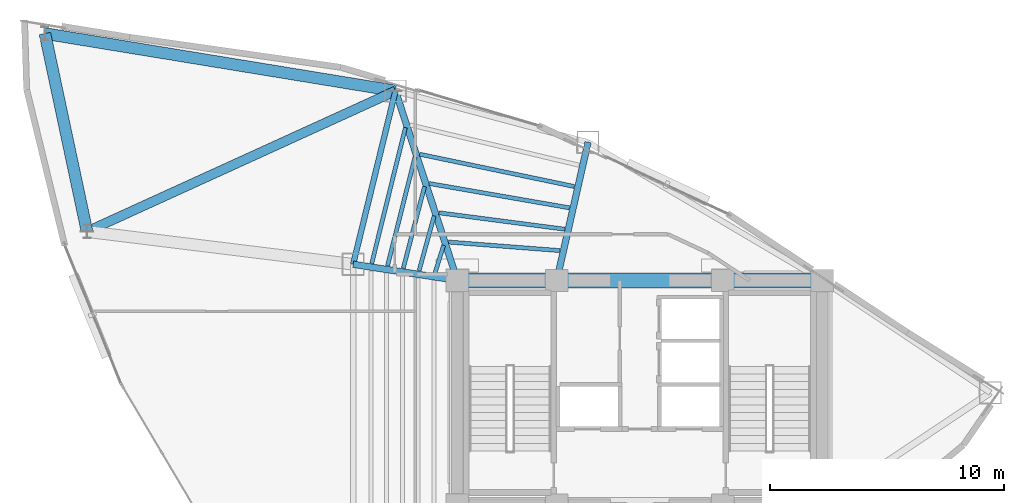
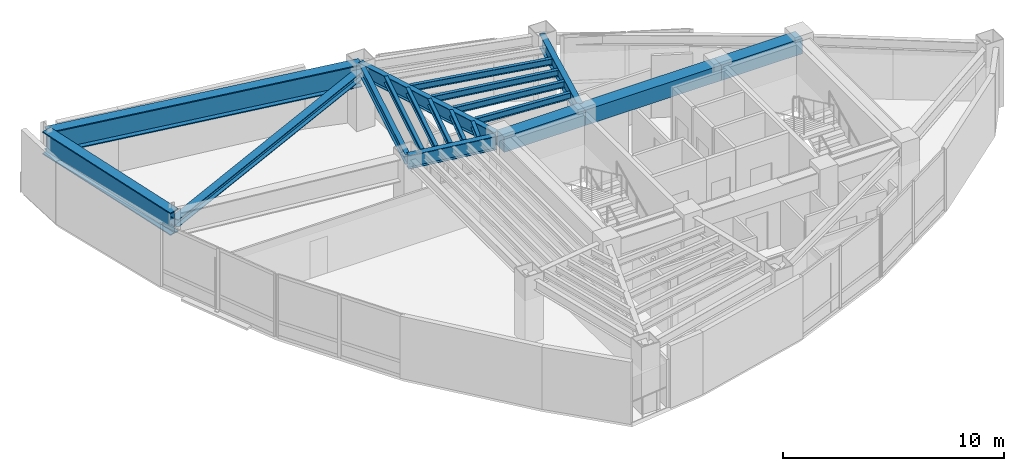
# One storey, part 7 of 16: 18 beams, 1 member.
"""IFC4 building model written with IfcOpenShell, lengths in metres."""

from ifc_helpers import new_model, si_unit, direction, frame, origin, origin_2d, place, context, subcontext, project, spatial, rectangle, i_section, extrude, material, material_profile, profile_set, type_object, element, save


model = new_model("IFC4")

# Units and contexts
model_context = context("Model", 3, precision=1e-05, world=origin(), true_north=direction((0.0, 1.0)))
body_context = subcontext(model_context, "Body", "Model", "MODEL_VIEW")
ifc_project = project(units=[si_unit("LENGTHUNIT", "METRE"), si_unit("AREAUNIT", "SQUARE_METRE"), si_unit("VOLUMEUNIT", "CUBIC_METRE"), si_unit("PLANEANGLEUNIT", "RADIAN"), si_unit("MASSUNIT", "GRAM", prefix="KILO")], contexts=[model_context])

# Site, building, storey
site_placement = place(None, origin())
site = spatial("IfcSite", under=ifc_project, at=site_placement, CompositionType="ELEMENT")
building_placement = place(site_placement, origin())
building = spatial("IfcBuilding", under=site, at=building_placement, Name="Menara Vayukalpa", CompositionType="ELEMENT")
storey_placement = place(building_placement, frame((0.0, 0.0, 202.679931640625)))
storey = spatial("IfcBuildingStorey", under=building, at=storey_placement, Name="L51", CompositionType="ELEMENT", Elevation=202.679931640625)

# Beams
ifc_material_1 = material(Name="Concrete C60/75", Category="concrete")
ifc_material_profile_1 = material_profile(ifc_material_1, rectangle(XDim=0.64990234375, YDim=0.85009765625, at=origin_2d()), Name="RC 650x850")
ifc_profile_set_1 = profile_set([ifc_material_profile_1], Name="Concrete C60/75")
beam_type_1 = type_object("IfcBeamType", Name="BM-CB1", PredefinedType="BEAM", material=ifc_profile_set_1)
beam_1_placement = place(storey_placement, frame((17.800048828125, 26.800048828125, 3.01513671875), z_axis=(1.0, 0.0, 0.0), x_axis=(0.0, 1.0, 0.0)))
element("IfcBeam", 1, at=beam_1_placement, inside=storey, type_object=beam_type_1, Name="L51 Core Tie Beam CBR4", PredefinedType="BEAM", context=body_context, shape_type="SweptSolid", body=[
    extrude(rectangle(XDim=0.64990234375, YDim=0.85009765625, at=origin_2d()), origin(), (0.0, 0.0, 1.0), 4.25),
])
beam_2_placement = place(storey_placement, frame((22.050048828125, 26.800048828125, 3.01513671875), z_axis=(1.0, 0.0, 0.0), x_axis=(0.0, 1.0, 0.0)))
element("IfcBeam", 2, at=beam_2_placement, inside=storey, type_object=beam_type_1, Name="L51 Core Tie Beam CBR5", PredefinedType="BEAM", context=body_context, shape_type="SweptSolid", body=[
    extrude(rectangle(XDim=0.64990234375, YDim=0.85009765625, at=origin_2d()), origin(), (0.0, 0.0, 1.0), 7.099853515625),
])
beam_3_placement = place(storey_placement, frame((29.14990234375, 26.800048828125, 3.01513671875), z_axis=(1.0, 0.0, 0.0), x_axis=(0.0, 1.0, 0.0)))
element("IfcBeam", 3, at=beam_3_placement, inside=storey, type_object=beam_type_1, Name="L51 Core Tie Beam CBR6", PredefinedType="BEAM", context=body_context, shape_type="SweptSolid", body=[
    extrude(rectangle(XDim=0.64990234375, YDim=0.85009765625, at=origin_2d()), origin(), (0.0, 0.0, 1.0), 4.25),
])
ifc_material_2 = material(Name="Steel S355", Category="steel")
ifc_material_profile_2 = material_profile(ifc_material_2, i_section(OverallWidth=0.280029296875, OverallDepth=0.75, WebThickness=0.013916015625, FlangeThickness=0.02490234375, at=origin_2d()), Name="WF 750x280x14x25")
ifc_profile_set_2 = profile_set([ifc_material_profile_2], Name="Steel S355")
beam_type_2 = type_object("IfcBeamType", Name="BM-PG4", PredefinedType="BEAM", material=ifc_profile_set_2)
beam_4_placement = place(storey_placement, frame((22.105224609375, 27.043701171875, 3.065185546875), z_axis=(0.221085149161, 0.975254508741, 0.0), x_axis=(-0.975254508741, 0.221085149161, 0.0)))
element("IfcBeam", 4, at=beam_4_placement, inside=storey, type_object=beam_type_2, Name="L51 Primary Radial Girder RG03", PredefinedType="BEAM", context=body_context, shape_type="SweptSolid", body=[
    extrude(i_section(OverallWidth=0.280029296875, OverallDepth=0.75, WebThickness=0.013916015625, FlangeThickness=0.02490234375, at=origin_2d()), origin(), (0.0, 0.0, 1.0), 5.80859375),
])
beam_5_placement = place(storey_placement, frame((17.722412109375, 27.03759765625, 3.065185546875), z_axis=(-0.310343552153, 0.950624468251, 0.0), x_axis=(-0.950624468251, -0.310343552153, 0.0)))
element("IfcBeam", 5, at=beam_5_placement, inside=storey, type_object=beam_type_2, Name="L51 Primary Radial Girder RG04", PredefinedType="BEAM", context=body_context, shape_type="SweptSolid", body=[
    extrude(i_section(OverallWidth=0.280029296875, OverallDepth=0.75, WebThickness=0.013916015625, FlangeThickness=0.02490234375, at=origin_2d()), origin(), (0.0, 0.0, 1.0), 8.2734375),
])
beam_6_placement = place(storey_placement, frame((17.552978515625, 26.838134765625, 3.065185546875), z_axis=(-0.988244781219, 0.152879862617, 0.0), x_axis=(-0.152879862617, -0.988244781219, 0.0)))
element("IfcBeam", 6, at=beam_6_placement, inside=storey, type_object=beam_type_2, Name="L51 Primary Radial Girder RG05", PredefinedType="BEAM", context=body_context, shape_type="SweptSolid", body=[
    extrude(i_section(OverallWidth=0.280029296875, OverallDepth=0.75, WebThickness=0.013916015625, FlangeThickness=0.02490234375, at=origin_2d()), origin(), (0.0, 0.0, 1.0), 4.259033203125),
])
ifc_material_3 = material(Name="Steel S355", Category="steel")
ifc_material_profile_3 = material_profile(ifc_material_3, i_section(OverallWidth=0.175048828125, OverallDepth=0.35009765625, WebThickness=0.007080078125, FlangeThickness=0.010986328125, at=origin_2d()), Name="WF 350x175x7x11")
ifc_profile_set_3 = profile_set([ifc_material_profile_3], Name="Steel S355")
beam_type_3 = type_object("IfcBeamType", Name="BM-SJ3", PredefinedType="JOIST", material=ifc_profile_set_3)
beam_7_placement = place(storey_placement, frame((22.177001953125, 28.07568359375, 3.26513671875), z_axis=(-0.997061705182, 0.076602585202, 0.0), x_axis=(-0.076602585202, -0.997061705182, 0.0)))
element("IfcBeam", 7, at=beam_7_placement, inside=storey, type_object=beam_type_3, Name="L51 Secondary Floor Joist SJ03-1", PredefinedType="JOIST", context=body_context, shape_type="SweptSolid", body=[
    extrude(i_section(OverallWidth=0.175048828125, OverallDepth=0.35009765625, WebThickness=0.007080078125, FlangeThickness=0.010986328125, at=origin_2d()), origin(), (0.0, 0.0, 1.0), 4.77099609375),
])
beam_8_placement = place(storey_placement, frame((22.38330078125, 28.990478515625, 3.26513671875), z_axis=(-0.99161070493, 0.129260240866, 0.0), x_axis=(-0.129260240866, -0.99161070493, 0.0)))
element("IfcBeam", 8, at=beam_8_placement, inside=storey, type_object=beam_type_3, Name="L51 Secondary Floor Joist SJ03-2", PredefinedType="JOIST", context=body_context, shape_type="SweptSolid", body=[
    extrude(i_section(OverallWidth=0.175048828125, OverallDepth=0.35009765625, WebThickness=0.007080078125, FlangeThickness=0.010986328125, at=origin_2d()), origin(), (0.0, 0.0, 1.0), 5.420654296875),
])
beam_9_placement = place(storey_placement, frame((22.589599609375, 29.9033203125, 3.26513671875), z_axis=(-0.985288833054, 0.170897382832, 0.0), x_axis=(-0.170897382832, -0.985288833054, 0.0)))
element("IfcBeam", 9, at=beam_9_placement, inside=storey, type_object=beam_type_3, Name="L51 Secondary Floor Joist SJ03-3", PredefinedType="JOIST", context=body_context, shape_type="SweptSolid", body=[
    extrude(i_section(OverallWidth=0.175048828125, OverallDepth=0.35009765625, WebThickness=0.007080078125, FlangeThickness=0.010986328125, at=origin_2d()), origin(), (0.0, 0.0, 1.0), 6.0830078125),
])
beam_10_placement = place(storey_placement, frame((22.796142578125, 30.815185546875, 3.26513671875), z_axis=(-0.97888709748, 0.204401688806, 0.0), x_axis=(-0.204401688806, -0.97888709748, 0.0)))
element("IfcBeam", 10, at=beam_10_placement, inside=storey, type_object=beam_type_3, Name="L51 Secondary Floor Joist SJ03-4", PredefinedType="JOIST", context=body_context, shape_type="SweptSolid", body=[
    extrude(i_section(OverallWidth=0.175048828125, OverallDepth=0.35009765625, WebThickness=0.007080078125, FlangeThickness=0.010986328125, at=origin_2d()), origin(), (0.0, 0.0, 1.0), 6.75439453125),
])
beam_11_placement = place(storey_placement, frame((17.212890625, 28.300537109375, 3.26513671875), z_axis=(-0.296448419226, -0.955048865105, 0.0), x_axis=(0.955048865105, -0.296448419226, 0.0)))
element("IfcBeam", 11, at=beam_11_placement, inside=storey, type_object=beam_type_3, Name="L51 Secondary Floor Joist SJ04-1", PredefinedType="JOIST", context=body_context, shape_type="SweptSolid", body=[
    extrude(i_section(OverallWidth=0.175048828125, OverallDepth=0.35009765625, WebThickness=0.007080078125, FlangeThickness=0.010986328125, at=origin_2d()), origin(), (0.0, 0.0, 1.0), 1.24853515625),
])
beam_12_placement = place(storey_placement, frame((16.80712890625, 29.5576171875, 3.26513671875), z_axis=(-0.264502665082, -0.964384954344, 0.0), x_axis=(0.964384954344, -0.264502665082, 0.0)))
element("IfcBeam", 12, at=beam_12_placement, inside=storey, type_object=beam_type_3, Name="L51 Secondary Floor Joist SJ04-2", PredefinedType="JOIST", context=body_context, shape_type="SweptSolid", body=[
    extrude(i_section(OverallWidth=0.175048828125, OverallDepth=0.35009765625, WebThickness=0.007080078125, FlangeThickness=0.010986328125, at=origin_2d()), origin(), (0.0, 0.0, 1.0), 2.430419921875),
])
beam_13_placement = place(storey_placement, frame((16.398193359375, 30.815185546875, 3.26513671875), z_axis=(-0.251714869346, -0.967801438597, 0.0), x_axis=(0.967801438597, -0.251714869346, 0.0)))
element("IfcBeam", 13, at=beam_13_placement, inside=storey, type_object=beam_type_3, Name="L51 Secondary Floor Joist SJ04-3", PredefinedType="JOIST", context=body_context, shape_type="SweptSolid", body=[
    extrude(i_section(OverallWidth=0.175048828125, OverallDepth=0.35009765625, WebThickness=0.007080078125, FlangeThickness=0.010986328125, at=origin_2d()), origin(), (0.0, 0.0, 1.0), 3.61279296875),
])
beam_14_placement = place(storey_placement, frame((15.988525390625, 32.073486328125, 3.26513671875), z_axis=(-0.24483447751, -0.969564891393, 0.0), x_axis=(0.969564891393, -0.24483447751, 0.0)))
element("IfcBeam", 14, at=beam_14_placement, inside=storey, type_object=beam_type_3, Name="L51 Secondary Floor Joist SJ04-4", PredefinedType="JOIST", context=body_context, shape_type="SweptSolid", body=[
    extrude(i_section(OverallWidth=0.175048828125, OverallDepth=0.35009765625, WebThickness=0.007080078125, FlangeThickness=0.010986328125, at=origin_2d()), origin(), (0.0, 0.0, 1.0), 4.79638671875),
])
beam_15_placement = place(storey_placement, frame((15.57861328125, 33.33154296875, 3.26513671875), z_axis=(-0.240556182956, -0.970635216156, 0.0), x_axis=(0.970635216156, -0.240556182956, 0.0)))
element("IfcBeam", 15, at=beam_15_placement, inside=storey, type_object=beam_type_3, Name="L51 Secondary Floor Joist SJ04-5", PredefinedType="JOIST", context=body_context, shape_type="SweptSolid", body=[
    extrude(i_section(OverallWidth=0.175048828125, OverallDepth=0.35009765625, WebThickness=0.007080078125, FlangeThickness=0.010986328125, at=origin_2d()), origin(), (0.0, 0.0, 1.0), 5.979736328125),
])
ifc_material_4 = material(Name="Steel S355", Category="steel")
ifc_material_profile_4 = material_profile(ifc_material_4, i_section(OverallWidth=0.239990234375, OverallDepth=0.550048828125, WebThickness=0.010986328125, FlangeThickness=0.01904296875, at=origin_2d()), Name="WF 550x240x11x19")
ifc_profile_set_4 = profile_set([ifc_material_profile_4], Name="Steel S355")
beam_type_4 = type_object("IfcBeamType", Name="BM-SP2", PredefinedType="SPANDREL", material=ifc_profile_set_4)
beam_16_placement = place(storey_placement, frame((15.15478515625, 34.902587890625, 3.1650390625), z_axis=(-0.237285374413, -0.971439988414, 0.0), x_axis=(0.971439988414, -0.237285374413, 0.0)))
element("IfcBeam", 16, at=beam_16_placement, inside=storey, type_object=beam_type_4, Name="L51 Perimeter Spandrel Beam SP04", PredefinedType="SPANDREL", context=body_context, shape_type="SweptSolid", body=[
    extrude(i_section(OverallWidth=0.239990234375, OverallDepth=0.550048828125, WebThickness=0.010986328125, FlangeThickness=0.01904296875, at=origin_2d()), origin(), (0.0, 0.0, 1.0), 7.63134765625),
])
ifc_material_5 = material(Name="Steel S460", Category="steel")
ifc_material_profile_5 = material_profile(ifc_material_5, i_section(OverallWidth=0.5, OverallDepth=1.25, WebThickness=0.028076171875, FlangeThickness=0.054931640625, at=origin_2d()), Name="WG 1250x500x28x55")
ifc_profile_set_5 = profile_set([ifc_material_profile_5], Name="Steel S460")
beam_type_5 = type_object("IfcBeamType", Name="BM-TG2", PredefinedType="BEAM", material=ifc_profile_set_5)
beam_17_placement = place(storey_placement, frame((15.15478515625, 34.902587890625, 2.815185546875), z_axis=(-0.986879146906, 0.161460674474, 0.0), x_axis=(-0.161460674474, -0.986879146906, 0.0)))
element("IfcBeam", 17, at=beam_17_placement, inside=storey, type_object=beam_type_5, Name="L51 SB4 Sky Bar Vierendeel Girder 04", PredefinedType="BEAM", context=body_context, shape_type="SweptSolid", body=[
    extrude(i_section(OverallWidth=0.5, OverallDepth=1.25, WebThickness=0.028076171875, FlangeThickness=0.054931640625, at=origin_2d()), origin(), (0.0, 0.0, 1.0), 15.188720703125),
])
beam_18_placement = place(storey_placement, frame((0.165283203125, 37.35498046875, 2.815185546875), z_axis=(0.208089844975, -0.978109715941, 0.0), x_axis=(0.978109715941, 0.208089844975, 0.0)))
element("IfcBeam", 18, at=beam_18_placement, inside=storey, type_object=beam_type_5, Name="L51 SB4 Sky Bar Edge Girder 1", PredefinedType="BEAM", context=body_context, shape_type="SweptSolid", body=[
    extrude(i_section(OverallWidth=0.5, OverallDepth=1.25, WebThickness=0.028076171875, FlangeThickness=0.054931640625, at=origin_2d()), origin(), (0.0, 0.0, 1.0), 8.655029296875),
])

# Member
ifc_material_6 = material(Name="Steel S460", Category="steel")
ifc_material_profile_6 = material_profile(ifc_material_6, i_section(OverallWidth=0.406982421875, OverallDepth=0.427978515625, WebThickness=0.02001953125, FlangeThickness=0.034912109375, at=origin_2d()), Name="H 428x407x20x35")
ifc_profile_set_6 = profile_set([ifc_material_profile_6], Name="Steel S460")
member_type = type_object("IfcMemberType", Name="MEM-BR1", PredefinedType="BRACE", material=ifc_profile_set_6)
member_placement = place(storey_placement, frame((15.15478515625, 34.902587890625, 2.815185546875), z_axis=(-0.909887096764, -0.414855964333, 0.0), x_axis=(0.414855964333, -0.909887096764, 0.0)))
element("IfcMember", 19, at=member_placement, inside=storey, type_object=member_type, Name="L51 SB4 Sky Bar Diaphragm Truss Brace 04", PredefinedType="BRACE", context=body_context, shape_type="SweptSolid", body=[
    extrude(i_section(OverallWidth=0.406982421875, OverallDepth=0.427978515625, WebThickness=0.02001953125, FlangeThickness=0.034912109375, at=origin_2d()), origin(), (0.0, 0.0, 1.0), 14.49462890625),
])

save(model, "model.ifc")
